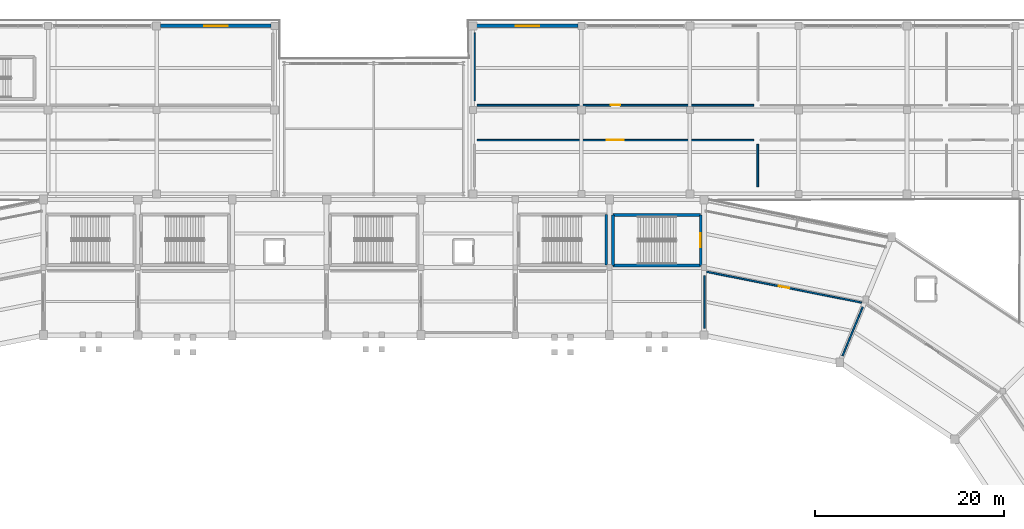
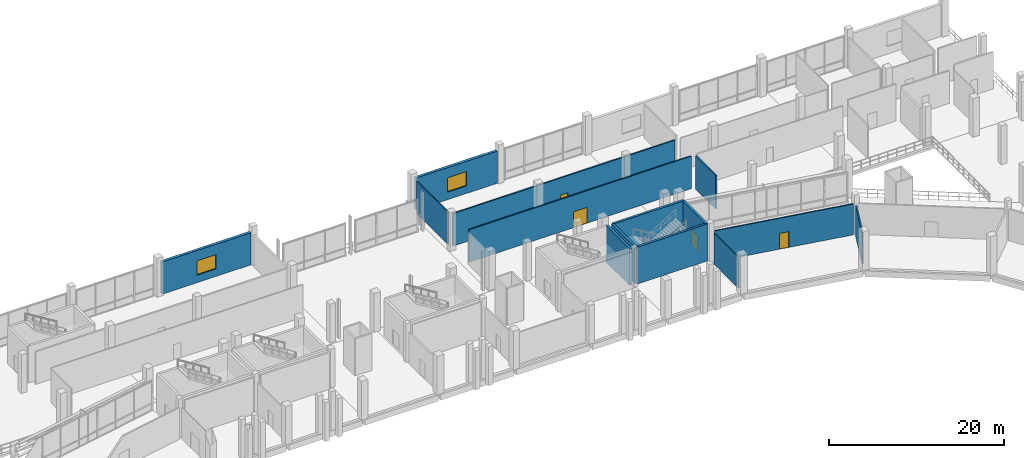
# One storey, part 83 of 114: 14 walls, 4 doors, 2 windows, 6 openings.
"""IFC4 building model written with IfcOpenShell, lengths in metres."""

from ifc_helpers import new_model, si_unit, direction, frame, frame_2d, origin, place, context, subcontext, project, spatial, rectangle, extrude, material, layer, layer_set, type_object, element, fill, save


model = new_model("IFC4")

# Units and contexts
model_context = context("Model", 3, precision=1e-05, world=origin(), true_north=direction((0.0, 1.0)))
body_context = subcontext(model_context, "Body", "Model", "MODEL_VIEW")
ifc_project = project(units=[si_unit("LENGTHUNIT", "METRE"), si_unit("AREAUNIT", "SQUARE_METRE"), si_unit("VOLUMEUNIT", "CUBIC_METRE"), si_unit("PLANEANGLEUNIT", "RADIAN"), si_unit("MASSUNIT", "GRAM", prefix="KILO")], contexts=[model_context])

# Site, building, storey
site_placement = place(None, origin())
site = spatial("IfcSite", under=ifc_project, at=site_placement, CompositionType="ELEMENT")
building_placement = place(site_placement, origin())
building = spatial("IfcBuilding", under=site, at=building_placement, Name="Candeia Ridge Stadium", CompositionType="ELEMENT")
storey_placement = place(building_placement, frame((0.0, 0.0, 5.39990234375)))
storey = spatial("IfcBuildingStorey", under=building, at=storey_placement, Name="L01", CompositionType="ELEMENT", Elevation=5.39990234375)

# Walls
ifc_material_1 = material(Name="Gypsum Metal-Stud Partition", Category="gypsum")
ifc_layer_1 = layer(ifc_material_1, 0.14501953125, Name="Gypsum Metal-Stud Partition", Category="gypsum")
ifc_layer_set_1 = layer_set([ifc_layer_1], Name="Gypsum Metal-Stud Partition")
wall_type_1 = type_object("IfcWallType", Name="Athlete Recovery Partition 145", PredefinedType="PARTITIONING", material=ifc_layer_set_1)
wall_1_placement = place(storey_placement, frame((116.699951171875, 157.449951171875, 0.0), z_axis=(0.0, 0.0, 1.0), x_axis=(0.0, 1.0, 0.0)))
element("IfcWall", 1, at=wall_1_placement, inside=storey, type_object=wall_type_1, Name="Demising partition PT-L01-0259", PredefinedType="PARTITIONING", context=body_context, shape_type="SweptSolid", body=[
    extrude(rectangle(XDim=7.199951171875, YDim=0.14501953125, at=frame_2d((3.60009765625, 0.0))), origin(), (0.0, 0.0, 1.0), 4.47509765625),
])
ifc_material_2 = material(Name="Concrete Masonry Blockwork C25/30", Category="masonry")
ifc_layer_2 = layer(ifc_material_2, 0.14990234375, Name="Concrete Masonry Blockwork C25/30", Category="masonry")
ifc_layer_set_2 = layer_set([ifc_layer_2], Name="Concrete Masonry Blockwork C25/30")
wall_type_2 = type_object("IfcWallType", Name="Concourse Kiosk Partition 150", PredefinedType="PARTITIONING", material=ifc_layer_set_2)
wall_2_placement = place(storey_placement, frame((141.0400390625, 133.35009765625, 0.0), z_axis=(0.0, 0.0, 1.0), x_axis=(0.0, 1.0, 0.0)))
element("IfcWall", 2, at=wall_2_placement, inside=storey, type_object=wall_type_2, Name="Demising partition PT-L01-0335", PredefinedType="PARTITIONING", context=body_context, shape_type="SweptSolid", body=[
    extrude(rectangle(XDim=5.591796875, YDim=0.14990234375, at=frame_2d((2.7958984375, 0.0))), origin(), (0.0, 0.0, 1.0), 4.30517578125),
])
ifc_material_3 = material(Name="Concrete C45/55", Category="concrete")
ifc_layer_3 = layer(ifc_material_3, 0.300048828125, Name="Concrete C45/55", Category="concrete")
ifc_layer_set_3 = layer_set([ifc_layer_3], Name="Concrete C45/55")
wall_type_3 = type_object("IfcWallType", Name="Core Shear Wall Concrete 300", PredefinedType="SHEAR", material=ifc_layer_set_3)
wall_3_placement = place(storey_placement, frame((140.649658203125, 145.349609375, 0.0), z_axis=(0.0, 0.0, 1.0), x_axis=(-1.0, 0.0, 0.0)))
element("IfcWall", 3, at=wall_3_placement, inside=storey, type_object=wall_type_3, Name="Core C04 left shear wall L01", PredefinedType="SHEAR", context=body_context, shape_type="SweptSolid", body=[
    extrude(rectangle(XDim=9.29931640625, YDim=0.300048828125, at=frame_2d((4.649658203125, 0.0))), origin(), (0.0, 0.0, 1.0), 5.14013671875),
])
wall_4_placement = place(storey_placement, frame((131.350341796875, 145.349609375, 0.0), z_axis=(0.0, 0.0, 1.0), x_axis=(0.0, -1.0, 0.0)))
element("IfcWall", 4, at=wall_4_placement, inside=storey, type_object=wall_type_3, Name="Core C04 far shear wall L01", PredefinedType="SHEAR", context=body_context, shape_type="SweptSolid", body=[
    extrude(rectangle(XDim=5.34912109375, YDim=0.300048828125, at=frame_2d((2.674560546875, 0.0))), origin(), (0.0, 0.0, 1.0), 5.14013671875),
])
wall_5_placement = place(storey_placement, frame((131.350341796875, 140.00048828125, 0.0), z_axis=(0.0, 0.0, 1.0), x_axis=(1.0, 0.0, 0.0)))
element("IfcWall", 5, at=wall_5_placement, inside=storey, type_object=wall_type_3, Name="Core C04 right shear wall L01", PredefinedType="SHEAR", context=body_context, shape_type="SweptSolid", body=[
    extrude(rectangle(XDim=9.29931640625, YDim=0.300048828125, at=frame_2d((4.649658203125, 0.0))), origin(), (0.0, 0.0, 1.0), 5.14013671875),
])

# Wall, opening, door
wall_6_placement = place(storey_placement, frame((140.649658203125, 140.00048828125, 0.0), z_axis=(0.0, 0.0, 1.0), x_axis=(0.0, 1.0, 0.0)))
wall_6 = element("IfcWall", 6, at=wall_6_placement, inside=storey, type_object=wall_type_3, Name="Core C04 near shear wall L01", PredefinedType="SHEAR", context=body_context, shape_type="SweptSolid", body=[
    extrude(rectangle(XDim=5.34912109375, YDim=0.300048828125, at=frame_2d((2.674560546875, 0.0))), origin(), (0.0, 0.0, 1.0), 5.14013671875),
])
opening_1_placement = place(wall_6_placement, frame((1.924560546875, 0.0, 0.0)))
opening_1 = element("IfcOpeningElement", 7, at=opening_1_placement, cuts=wall_6, Name="Opening FD01", PredefinedType="OPENING", context=body_context, shape_type="SweptSolid", body=[
    extrude(rectangle(XDim=1.5, YDim=2.199951171875, at=frame_2d((0.75, 1.10009765625))), frame((0.0, 0.159912109375, 0.0), z_axis=(0.0, -1.0, 0.0), x_axis=(1.0, 0.0, 0.0)), (0.0, 0.0, 1.0), 0.320068359375),
])
ifc_material_4 = material(Name="Galvanized Fire-Rated Steel", Category="steel")
door_type_1 = type_object("IfcDoorType", Name="Exit Stair Core Fire Door 1500x2200", OperationType="NOTDEFINED", PredefinedType="DOOR", material=ifc_material_4)
door_1_placement = place(opening_1_placement, origin())
door_1 = element("IfcDoor", 8, at=door_1_placement, inside=storey, type_object=door_type_1, Name="Exit stair fire door SD-ST04-L01", OperationType="DOUBLE_DOOR_SINGLE_SWING", OverallHeight=2.199951171875, OverallWidth=1.5, PredefinedType="DOOR", context=body_context, shape_type="SweptSolid", body=[
    extrude(rectangle(XDim=1.5, YDim=2.199951171875, at=frame_2d((0.75, 1.10009765625))), frame((0.0, 0.02490234375, 0.0), z_axis=(0.0, -1.0, 0.0), x_axis=(1.0, 0.0, 0.0)), (0.0, 0.0, 1.0), 0.050048828125),
])
fill(opening_1, door_1)

# Wall
wall_7_placement = place(storey_placement, frame((130.649658203125, 140.05029296875, 0.0), z_axis=(0.0, 0.0, 1.0), x_axis=(0.0, 1.0, 0.0)))
element("IfcWall", 9, at=wall_7_placement, inside=storey, type_object=wall_type_3, Name="Core C10 far shear wall L01", PredefinedType="SHEAR", context=body_context, shape_type="SweptSolid", body=[
    extrude(rectangle(XDim=5.349365234375, YDim=0.300048828125, at=frame_2d((2.6748046875, 0.0))), origin(), (0.0, 0.0, 1.0), 5.14013671875),
])

# Wall, opening, window
ifc_material_5 = material(Name="Concrete C40/50", Category="concrete")
ifc_layer_4 = layer(ifc_material_5, 0.360107421875, Name="Concrete C40/50", Category="concrete")
ifc_layer_set_4 = layer_set([ifc_layer_4], Name="Concrete C40/50")
wall_type_4 = type_object("IfcWallType", Name="Exterior Basalt Plinth Wall 360", PredefinedType="SOLIDWALL", material=ifc_layer_set_4)
wall_8_placement = place(storey_placement, frame((83.4130859375, 165.39990234375, 0.0), z_axis=(0.0, 0.0, 1.0), x_axis=(1.0, 0.0, 0.0)))
wall_8 = element("IfcWall", 10, at=wall_8_placement, inside=storey, type_object=wall_type_4, Name="Exterior facade wall EW-L01-0204", PredefinedType="SOLIDWALL", context=body_context, shape_type="SweptSolid", body=[
    extrude(rectangle(XDim=11.723876953125, YDim=0.360107421875, at=frame_2d((5.86181640625, 0.0))), origin(), (0.0, 0.0, 1.0), 4.47509765625),
])
opening_2_placement = place(wall_8_placement, frame((4.612060546875, 0.0, 1.050048828125)))
opening_2 = element("IfcOpeningElement", 11, at=opening_2_placement, cuts=wall_8, Name="Opening W13", PredefinedType="OPENING", context=body_context, shape_type="SweptSolid", body=[
    extrude(rectangle(XDim=2.5, YDim=2.0, at=frame_2d((1.25, 1.0))), frame((0.0, 0.18994140625, 0.0), z_axis=(0.0, -1.0, 0.0), x_axis=(1.0, 0.0, 0.0)), (0.0, 0.0, 1.0), 0.380126953125),
])
ifc_material_6 = material(Name="Tempered Solar-Control Double Glazing", Category="glass")
window_type = type_object("IfcWindowType", Name="Ticketing Hall Window 2500x2000", PartitioningType="SINGLE_PANEL", PredefinedType="WINDOW", material=ifc_material_6)
window_1_placement = place(opening_2_placement, origin())
window_1 = element("IfcWindow", 12, at=window_1_placement, inside=storey, type_object=window_type, Name="Exterior window WIN-L01-111", OverallHeight=2.0, OverallWidth=2.5, PartitioningType="SINGLE_PANEL", PredefinedType="WINDOW", context=body_context, shape_type="SweptSolid", body=[
    extrude(rectangle(XDim=2.5, YDim=2.0, at=frame_2d((1.25, 1.0))), frame((0.0, 0.030029296875, 0.0), z_axis=(0.0, -1.0, 0.0), x_axis=(1.0, 0.0, 0.0)), (0.0, 0.0, 1.0), 0.06005859375),
])
fill(opening_2, window_1)

wall_9_placement = place(storey_placement, frame((116.9130859375, 165.39990234375, 0.0), z_axis=(0.0, 0.0, 1.0), x_axis=(1.0, 0.0, 0.0)))
wall_9 = element("IfcWall", 13, at=wall_9_placement, inside=storey, type_object=wall_type_4, Name="Exterior facade wall EW-L01-0205", PredefinedType="SOLIDWALL", context=body_context, shape_type="SweptSolid", body=[
    extrude(rectangle(XDim=10.723876953125, YDim=0.360107421875, at=frame_2d((5.36181640625, 0.0))), origin(), (0.0, 0.0, 1.0), 4.47509765625),
])
opening_3_placement = place(wall_9_placement, frame((4.112060546875, 0.0, 1.050048828125)))
opening_3 = element("IfcOpeningElement", 14, at=opening_3_placement, cuts=wall_9, Name="Opening W13", PredefinedType="OPENING", context=body_context, shape_type="SweptSolid", body=[
    extrude(rectangle(XDim=2.5, YDim=2.0, at=frame_2d((1.25, 1.0))), frame((0.0, 0.18994140625, 0.0), z_axis=(0.0, -1.0, 0.0), x_axis=(1.0, 0.0, 0.0)), (0.0, 0.0, 1.0), 0.380126953125),
])
window_2_placement = place(opening_3_placement, origin())
window_2 = element("IfcWindow", 15, at=window_2_placement, inside=storey, type_object=window_type, Name="Exterior window WIN-L01-112", OverallHeight=2.0, OverallWidth=2.5, PartitioningType="SINGLE_PANEL", PredefinedType="WINDOW", context=body_context, shape_type="SweptSolid", body=[
    extrude(rectangle(XDim=2.5, YDim=2.0, at=frame_2d((1.25, 1.0))), frame((0.0, 0.030029296875, 0.0), z_axis=(0.0, -1.0, 0.0), x_axis=(1.0, 0.0, 0.0)), (0.0, 0.0, 1.0), 0.06005859375),
])
fill(opening_3, window_2)

# Wall
ifc_material_7 = material(Name="Gypsum Acoustic Twin-Stud Assembly", Category="gypsum")
ifc_layer_5 = layer(ifc_material_7, 0.1650390625, Name="Gypsum Acoustic Twin-Stud Assembly", Category="gypsum")
ifc_layer_set_5 = layer_set([ifc_layer_5], Name="Gypsum Acoustic Twin-Stud Assembly")
wall_type_5 = type_object("IfcWallType", Name="Hospitality Suite Acoustic Wall 165", PredefinedType="PARTITIONING", material=ifc_layer_set_5)
wall_10_placement = place(storey_placement, frame((155.67578125, 130.4306640625, 0.0), z_axis=(0.0, 0.0, 1.0), x_axis=(0.382682918336, 0.923879745429, 0.0)))
element("IfcWall", 16, at=wall_10_placement, inside=storey, type_object=wall_type_5, Name="Demising partition PT-L01-0333", PredefinedType="PARTITIONING", context=body_context, shape_type="SweptSolid", body=[
    extrude(rectangle(XDim=5.60009765625, YDim=0.1650390625, at=frame_2d((2.800048828125, 0.0))), origin(), (0.0, 0.0, 1.0), 4.30517578125),
])

# Wall, opening, door
wall_11_placement = place(storey_placement, frame((141.28515625, 139.34326171875, 0.0), z_axis=(0.0, 0.0, 1.0), x_axis=(0.980784295226, -0.195095274771, 0.0)))
wall_11 = element("IfcWall", 17, at=wall_11_placement, inside=storey, type_object=wall_type_5, Name="Interior partition PT-L01-0334", PredefinedType="PARTITIONING", context=body_context, shape_type="SweptSolid", body=[
    extrude(rectangle(XDim=16.742431640625, YDim=0.1650390625, at=frame_2d((8.37109375, 0.0))), origin(), (0.0, 0.0, 1.0), 4.30517578125),
])
opening_4_placement = place(wall_11_placement, frame((7.811279296875, 0.0, 0.0)))
opening_4 = element("IfcOpeningElement", 18, at=opening_4_placement, cuts=wall_11, Name="Opening ID18", PredefinedType="OPENING", context=body_context, shape_type="SweptSolid", body=[
    extrude(rectangle(XDim=1.1201171875, YDim=2.199951171875, at=frame_2d((0.56005859375, 1.10009765625))), frame((0.0, 0.092529296875, 0.0), z_axis=(0.0, -1.0, 0.0), x_axis=(1.0, 0.0, 0.0)), (0.0, 0.0, 1.0), 0.18505859375),
])
door_type_2 = type_object("IfcDoorType", Name="Control Room Security Door 1120x2200", OperationType="NOTDEFINED", PredefinedType="DOOR", material=ifc_material_4)
door_2_placement = place(opening_4_placement, origin())
door_2 = element("IfcDoor", 19, at=door_2_placement, inside=storey, type_object=door_type_2, Name="Interior room door D-L01-0172", OperationType="SINGLE_SWING_RIGHT", OverallHeight=2.199951171875, OverallWidth=1.1201171875, PredefinedType="DOOR", context=body_context, shape_type="SweptSolid", body=[
    extrude(rectangle(XDim=1.1201171875, YDim=2.199951171875, at=frame_2d((0.56005859375, 1.10009765625))), frame((0.0, 0.02490234375, 0.0), z_axis=(0.0, -1.0, 0.0), x_axis=(1.0, 0.0, 0.0)), (0.0, 0.0, 1.0), 0.050048828125),
])
fill(opening_4, door_2)

ifc_material_8 = material(Name="Gypsum Acoustic Triple-Board Wall", Category="gypsum")
ifc_layer_6 = layer(ifc_material_8, 0.18505859375, Name="Gypsum Acoustic Triple-Board Wall", Category="gypsum")
ifc_layer_set_6 = layer_set([ifc_layer_6], Name="Gypsum Acoustic Triple-Board Wall")
wall_type_6 = type_object("IfcWallType", Name="Media Booth Studio Divider 185", PredefinedType="PARTITIONING", material=ifc_layer_set_6)
wall_12_placement = place(storey_placement, frame((146.25, 157.0, 0.0), z_axis=(0.0, 0.0, 1.0), x_axis=(-1.0, 0.0, 0.0)))
wall_12 = element("IfcWall", 20, at=wall_12_placement, inside=storey, type_object=wall_type_6, Name="Interior partition PT-L01-0258", PredefinedType="PARTITIONING", context=body_context, shape_type="SweptSolid", body=[
    extrude(rectangle(XDim=29.300048828125, YDim=0.18505859375, at=frame_2d((14.64990234375, 0.0))), origin(), (0.0, 0.0, 1.0), 4.525146484375),
])
opening_5_placement = place(wall_12_placement, frame((14.14990234375, 0.0, 0.0)))
opening_5 = element("IfcOpeningElement", 21, at=opening_5_placement, cuts=wall_12, Name="Opening ID04", PredefinedType="OPENING", context=body_context, shape_type="SweptSolid", body=[
    extrude(rectangle(XDim=1.0, YDim=2.14990234375, at=frame_2d((0.5, 1.074951171875))), frame((0.0, 0.1025390625, 0.0), z_axis=(0.0, -1.0, 0.0), x_axis=(1.0, 0.0, 0.0)), (0.0, 0.0, 1.0), 0.205078125),
])
ifc_material_9 = material(Name="Powder-Coated Hollow Metal", Category="steel")
door_type_3 = type_object("IfcDoorType", Name="Concourse Kiosk Service Door 1000x2150", OperationType="NOTDEFINED", PredefinedType="DOOR", material=ifc_material_9)
door_3_placement = place(opening_5_placement, frame((1.0, 0.0, 0.0), z_axis=(0.0, 0.0, 1.0), x_axis=(-1.0, 0.0, 0.0)))
door_3 = element("IfcDoor", 22, at=door_3_placement, inside=storey, type_object=door_type_3, Name="Interior room door D-L01-0134", OperationType="SINGLE_SWING_LEFT", OverallHeight=2.14990234375, OverallWidth=1.0, PredefinedType="DOOR", context=body_context, shape_type="SweptSolid", body=[
    extrude(rectangle(XDim=1.0, YDim=2.14990234375, at=frame_2d((0.5, 1.074951171875))), frame((0.0, 0.02490234375, 0.0), z_axis=(0.0, -1.0, 0.0), x_axis=(1.0, 0.0, 0.0)), (0.0, 0.0, 1.0), 0.050048828125),
])
fill(opening_5, door_3)

# Wall
wall_13_placement = place(storey_placement, frame((146.699951171875, 148.35009765625, 0.0), z_axis=(0.0, 0.0, 1.0), x_axis=(0.0, 1.0, 0.0)))
element("IfcWall", 23, at=wall_13_placement, inside=storey, type_object=wall_type_6, Name="Demising partition PT-L01-0261", PredefinedType="PARTITIONING", context=body_context, shape_type="SweptSolid", body=[
    extrude(rectangle(XDim=4.5, YDim=0.18505859375, at=frame_2d((2.25, 0.0))), origin(), (0.0, 0.0, 1.0), 4.675048828125),
])

# Wall, opening, door
ifc_layer_7 = layer(ifc_material_7, 0.169921875, Name="Gypsum Acoustic Twin-Stud Assembly", Category="gypsum")
ifc_layer_set_7 = layer_set([ifc_layer_7], Name="Gypsum Acoustic Twin-Stud Assembly")
wall_type_7 = type_object("IfcWallType", Name="Skybox Demising Acoustic Wall 170", PredefinedType="PARTITIONING", material=ifc_layer_set_7)
wall_14_placement = place(storey_placement, frame((116.949951171875, 153.300048828125, 0.0), z_axis=(0.0, 0.0, 1.0), x_axis=(1.0, 0.0, 0.0)))
wall_14 = element("IfcWall", 24, at=wall_14_placement, inside=storey, type_object=wall_type_7, Name="Interior partition PT-L01-0256", PredefinedType="PARTITIONING", context=body_context, shape_type="SweptSolid", body=[
    extrude(rectangle(XDim=29.300048828125, YDim=0.169921875, at=frame_2d((14.64990234375, 0.0))), origin(), (0.0, 0.0, 1.0), 4.525146484375),
])
opening_6_placement = place(wall_14_placement, frame((13.75, 0.0, 0.0)))
opening_6 = element("IfcOpeningElement", 25, at=opening_6_placement, cuts=wall_14, Name="Opening FD03", PredefinedType="OPENING", context=body_context, shape_type="SweptSolid", body=[
    extrude(rectangle(XDim=1.800048828125, YDim=2.199951171875, at=frame_2d((0.89990234375, 1.10009765625))), frame((0.0, 0.094970703125, 0.0), z_axis=(0.0, -1.0, 0.0), x_axis=(1.0, 0.0, 0.0)), (0.0, 0.0, 1.0), 0.18994140625),
])
ifc_material_10 = material(Name="Timber Fire-Rated Acoustic", Category="wood")
door_type_4 = type_object("IfcDoorType", Name="Corridor Compartment Double Door 1800x2200", OperationType="NOTDEFINED", PredefinedType="DOOR", material=ifc_material_10)
door_4_placement = place(opening_6_placement, origin())
door_4 = element("IfcDoor", 26, at=door_4_placement, inside=storey, type_object=door_type_4, Name="Interior room door D-L01-0133", OperationType="DOUBLE_DOOR_SINGLE_SWING", OverallHeight=2.199951171875, OverallWidth=1.800048828125, PredefinedType="DOOR", context=body_context, shape_type="SweptSolid", body=[
    extrude(rectangle(XDim=1.800048828125, YDim=2.199951171875, at=frame_2d((0.89990234375, 1.10009765625))), frame((0.0, 0.02490234375, 0.0), z_axis=(0.0, -1.0, 0.0), x_axis=(1.0, 0.0, 0.0)), (0.0, 0.0, 1.0), 0.050048828125),
])
fill(opening_6, door_4)

save(model, "model.ifc")
